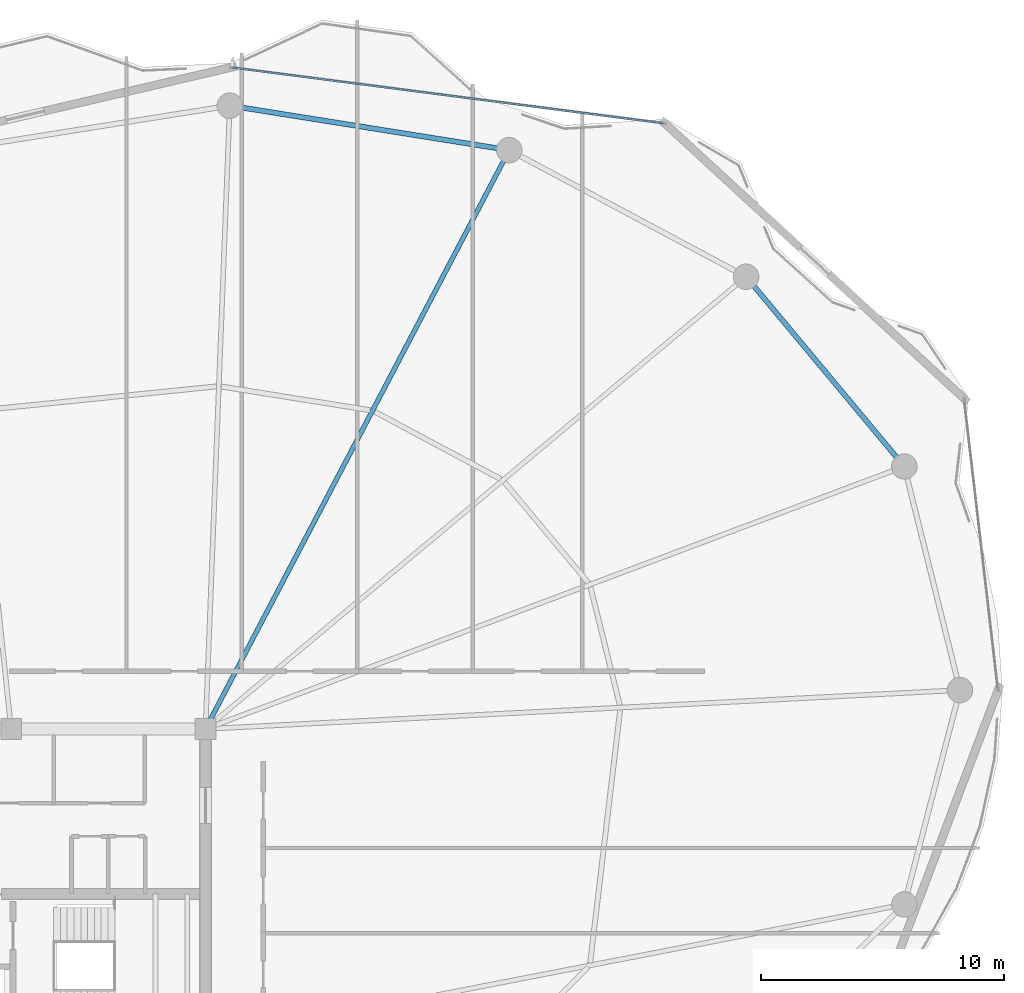
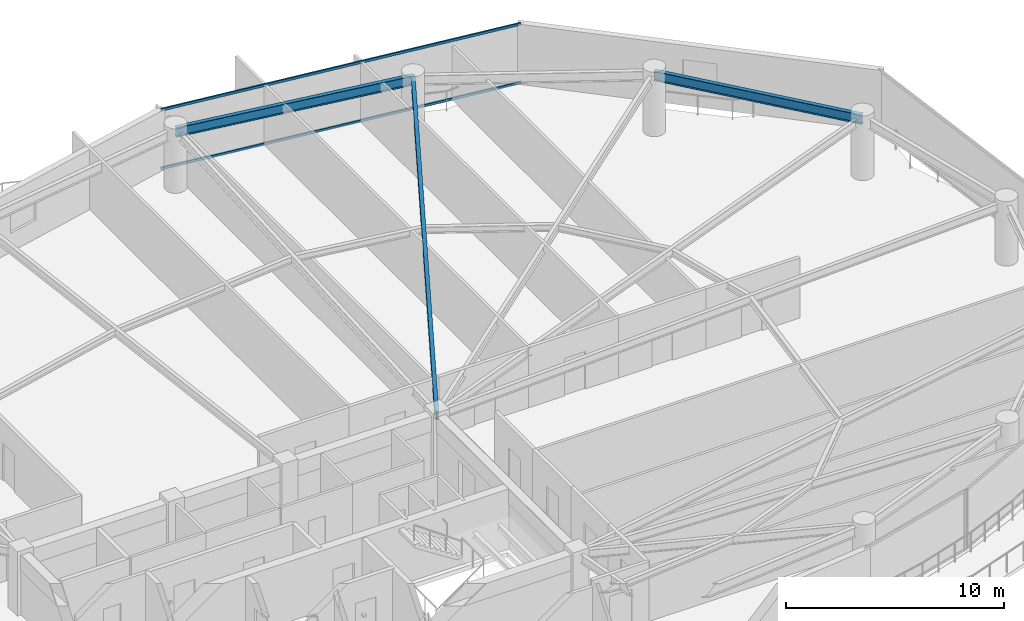
# One storey, part 21 of 31: 3 beams, 2 members, 1 element without a shape of its own.
"""IFC4 building model written with IfcOpenShell, lengths in metres."""

from ifc_helpers import new_model, si_unit, direction, frame, origin, origin_2d, place, context, subcontext, project, spatial, hollow_rectangle, i_section, extrude, material, layer, layer_set, material_profile, profile_set, type_object, element, aggregate, save


model = new_model("IFC4")

# Units and contexts
model_context = context("Model", 3, precision=1e-05, world=origin(), true_north=direction((0.0, 1.0)))
body_context = subcontext(model_context, "Body", "Model", "MODEL_VIEW")
ifc_project = project(units=[si_unit("LENGTHUNIT", "METRE"), si_unit("AREAUNIT", "SQUARE_METRE"), si_unit("VOLUMEUNIT", "CUBIC_METRE"), si_unit("PLANEANGLEUNIT", "RADIAN"), si_unit("MASSUNIT", "GRAM", prefix="KILO")], contexts=[model_context])

# Site, building, storey
site_placement = place(None, origin())
site = spatial("IfcSite", under=ifc_project, at=site_placement, CompositionType="ELEMENT")
building_placement = place(site_placement, origin())
building = spatial("IfcBuilding", under=site, at=building_placement, Name="Kazevale Care Tower and Concert Hall", CompositionType="ELEMENT")
storey_placement = place(building_placement, frame((0.0, 0.0, 210.0)))
storey = spatial("IfcBuildingStorey", under=building, at=storey_placement, Name="L55", CompositionType="ELEMENT", Elevation=210.0)

# Curtain wall, members
ifc_material_1 = material(Name="Aluminium 6063-T6 and Low-E Glass", Category="aluminium")
ifc_layer = layer(ifc_material_1, 0.179931640625)
ifc_layer_set = layer_set([ifc_layer], Name="Aluminium 6063-T6 and Low-E Glass")
curtain_wall_type = type_object("IfcCurtainWallType", Name="Waist & Upper Residential Curtain Wall CW-4", PredefinedType="NOTDEFINED", material=ifc_layer_set)
curtain_wall_placement = place(storey_placement, origin())
curtain_wall = element("IfcCurtainWall", 1, at=curtain_wall_placement, inside=storey, type_object=curtain_wall_type, Name="cw:L55:f16", PredefinedType="NOTDEFINED")
ifc_material_2 = material(Name="Aluminium 6063-T6", Category="aluminium")
ifc_material_profile_1 = material_profile(ifc_material_2, hollow_rectangle(XDim=0.080078125, YDim=0.139892578125, WallThickness=0.00390625, at=origin_2d()), Name="ALU80x140x4")
ifc_profile_set_1 = profile_set([ifc_material_profile_1], Name="Aluminium 6063-T6")
member_type = type_object("IfcMemberType", Name="CW-4 Transom ALU80x140x4", PredefinedType="USERDEFINED", material=ifc_profile_set_1)
member_1_placement = place(storey_placement, frame((45.123291015625, 63.61181640625, 0.0400390625), z_axis=(0.991760953967, -0.128102342625, 0.0), x_axis=(0.128102342625, 0.991760953967, 0.0)))
member_1 = element("IfcMember", 2, at=member_1_placement, type_object=member_type, Name="CW-4 transom 1.1", ObjectType="TRANSOM", PredefinedType="USERDEFINED", context=body_context, shape_type="SweptSolid", body=[
    extrude(hollow_rectangle(XDim=0.080078125, YDim=0.139892578125, WallThickness=0.00390625, at=origin_2d()), origin(), (0.0, 0.0, 1.0), 17.857666015625),
])
member_2_placement = place(storey_placement, frame((45.123291015625, 63.61181640625, 3.320068359375), z_axis=(0.991760953967, -0.128102342625, 0.0), x_axis=(0.128102342625, 0.991760953967, 0.0)))
member_2 = element("IfcMember", 3, at=member_2_placement, type_object=member_type, Name="CW-4 transom 1.2", ObjectType="TRANSOM", PredefinedType="USERDEFINED", context=body_context, shape_type="SweptSolid", body=[
    extrude(hollow_rectangle(XDim=0.080078125, YDim=0.139892578125, WallThickness=0.00390625, at=origin_2d()), origin(), (0.0, 0.0, 1.0), 17.857666015625),
])
aggregate(curtain_wall, [member_1, member_2])

# Beams
ifc_material_3 = material(Name="Steel ASTM A572 Gr 50", Category="steel")
ifc_material_profile_2 = material_profile(ifc_material_3, i_section(OverallWidth=0.19091796875, OverallDepth=0.4599609375, WebThickness=0.010009765625, FlangeThickness=0.01611328125, at=origin_2d()), Name="W460x82")
ifc_profile_set_2 = profile_set([ifc_material_profile_2], Name="Steel ASTM A572 Gr 50")
beam_type_1 = type_object("IfcBeamType", Name="Radial Floor Beam W460x82", PredefinedType="BEAM", material=ifc_profile_set_2)
beam_1_placement = place(storey_placement, frame((44.0, 36.39990234375, 3.1298828125), z_axis=(0.464672566396, 0.885482583702, 0.0), x_axis=(-0.885482583702, 0.464672566396, 0.0)))
element("IfcBeam", 4, at=beam_1_placement, inside=storey, type_object=beam_type_1, Name="beam:L55:rad:04", PredefinedType="BEAM", context=body_context, shape_type="SweptSolid", body=[
    extrude(i_section(OverallWidth=0.19091796875, OverallDepth=0.4599609375, WebThickness=0.010009765625, FlangeThickness=0.01611328125, at=origin_2d()), origin(), (0.0, 0.0, 1.0), 26.900634765625),
])
ifc_material_profile_3 = material_profile(ifc_material_3, i_section(OverallWidth=0.208984375, OverallDepth=0.532958984375, WebThickness=0.01025390625, FlangeThickness=0.015625, at=origin_2d()), Name="W530x92")
ifc_profile_set_3 = profile_set([ifc_material_profile_3], Name="Steel ASTM A572 Gr 50")
beam_type_2 = type_object("IfcBeamType", Name="Upper Ring Beam W530x92", PredefinedType="BEAM", material=ifc_profile_set_3)
beam_2_placement = place(storey_placement, frame((72.760009765625, 47.199951171875, 3.093505859375), z_axis=(-0.640278868102, 0.768142546056, 0.0), x_axis=(-0.768142546056, -0.640278868102, 0.0)))
element("IfcBeam", 5, at=beam_2_placement, inside=storey, type_object=beam_type_2, Name="beam:L55:ring:02", PredefinedType="BEAM", context=body_context, shape_type="SweptSolid", body=[
    extrude(i_section(OverallWidth=0.208984375, OverallDepth=0.532958984375, WebThickness=0.01025390625, FlangeThickness=0.015625, at=origin_2d()), origin(), (0.0, 0.0, 1.0), 10.16748046875),
])
beam_3_placement = place(storey_placement, frame((56.5, 60.219970703125, 3.093505859375), z_axis=(-0.987573207584, 0.15715966296, 0.0), x_axis=(-0.15715966296, -0.987573207584, 0.0)))
element("IfcBeam", 6, at=beam_3_placement, inside=storey, type_object=beam_type_2, Name="beam:L55:ring:04", PredefinedType="BEAM", context=body_context, shape_type="SweptSolid", body=[
    extrude(i_section(OverallWidth=0.208984375, OverallDepth=0.532958984375, WebThickness=0.01025390625, FlangeThickness=0.015625, at=origin_2d()), origin(), (0.0, 0.0, 1.0), 11.644775390625),
])

save(model, "model.ifc")
